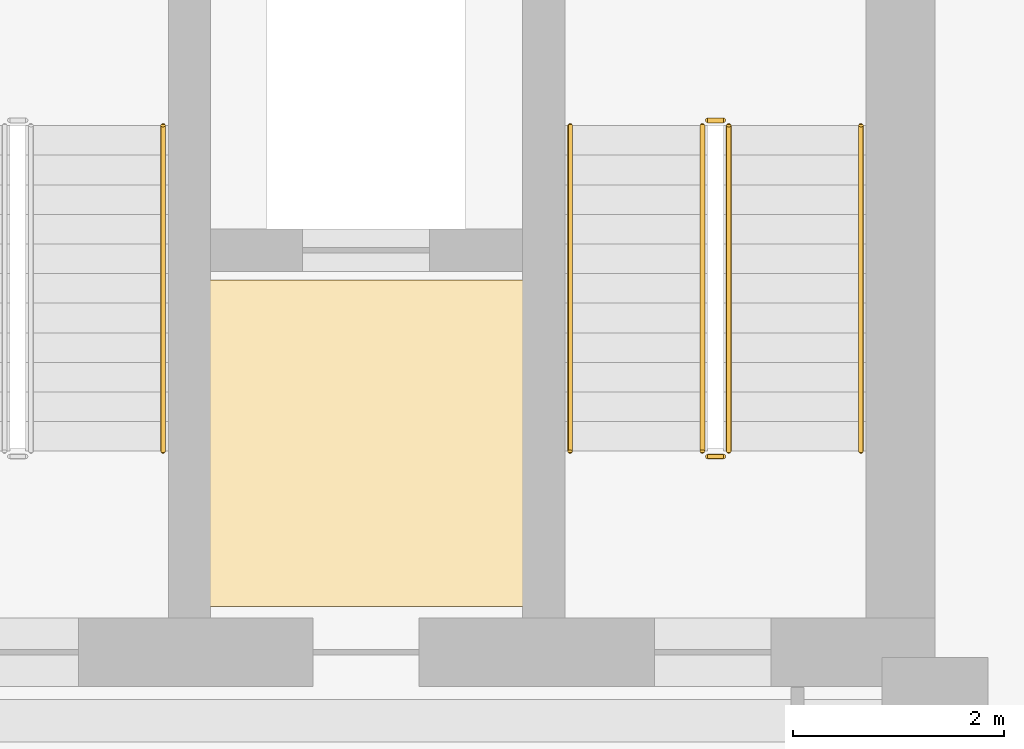
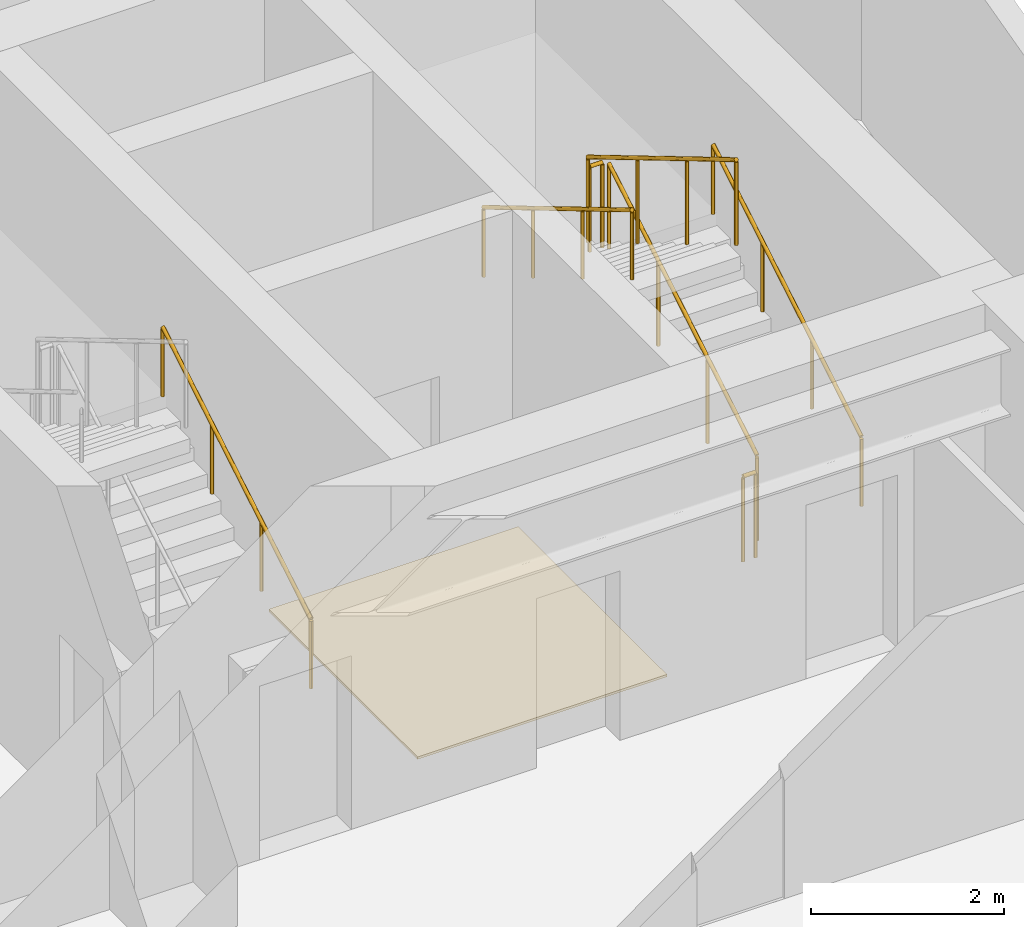
# One storey, part 26 of 26: 7 railings, 1 covering.
"""IFC4 building model written with IfcOpenShell, lengths in metres."""

from ifc_helpers import new_model, si_unit, direction, frame, origin, origin_2d, place, context, subcontext, project, spatial, polyline, circle, outline, extrude, material, layer, layer_set, type_object, element, save


model = new_model("IFC4")

# Units and contexts
model_context = context("Model", 3, precision=1e-05, world=origin(), true_north=direction((0.0, 1.0)))
body_context = subcontext(model_context, "Body", "Model", "MODEL_VIEW")
ifc_project = project(units=[si_unit("LENGTHUNIT", "METRE"), si_unit("AREAUNIT", "SQUARE_METRE"), si_unit("VOLUMEUNIT", "CUBIC_METRE"), si_unit("PLANEANGLEUNIT", "RADIAN"), si_unit("MASSUNIT", "GRAM", prefix="KILO")], contexts=[model_context])

# Site, building, storey
site_placement = place(None, origin())
site = spatial("IfcSite", under=ifc_project, at=site_placement, CompositionType="ELEMENT")
building_placement = place(site_placement, origin())
building = spatial("IfcBuilding", under=site, at=building_placement, Name="Kravanh Interchange Tower", CompositionType="ELEMENT")
storey_placement = place(building_placement, frame((0.0, 0.0, 116.0)))
storey = spatial("IfcBuildingStorey", under=building, at=storey_placement, Name="L27", CompositionType="ELEMENT", Elevation=116.0)

# Covering
ifc_material_1 = material(Name="Cementitious Terrazzo Tile")
ifc_layer_1 = layer(ifc_material_1, 0.030029296875)
ifc_layer_set_1 = layer_set([ifc_layer_1], Name="Honed Terrazzo Lobby Flooring 30mm")
covering_type = type_object("IfcCoveringType", Name="Honed Terrazzo Lobby Flooring 30mm", PredefinedType="FLOORING", material=ifc_layer_set_1)
covering_placement = place(storey_placement, origin())
element("IfcCovering", 1, at=covering_placement, inside=storey, type_object=covering_type, Name="L27 Service Lift Lobby Floor Finish", PredefinedType="FLOORING", context=body_context, shape_type="SweptSolid", body=[
    extrude(outline(polyline([(59.6298828125, 41.52001953125), (62.6201171875, 41.52001953125), (62.6201171875, 38.429931640625), (59.6298828125, 38.429931640625), (59.6298828125, 41.52001953125)])), origin(), (0.0, 0.0, 1.0), 0.030029296875),
])

# Railings
ifc_material_2 = material(Name="Structural Steel S355", Category="steel")
ifc_layer_2 = layer(ifc_material_2, 0.050048828125)
ifc_layer_set_2 = layer_set([ifc_layer_2], Name="Stair Well Guardrail Structural Steel S355 1100mm")
railing_type_1 = type_object("IfcRailingType", Name="Stair Well Guardrail Structural Steel S355 1100mm", PredefinedType="GUARDRAIL", material=ifc_layer_set_2)
railing_1_placement = place(storey_placement, frame((64.550048828125, 39.89990234375, 0.166748046875)))
element("IfcRailing", 2, at=railing_1_placement, inside=storey, type_object=railing_type_1, Name="L27 ST1 stair guard 1", PredefinedType="GUARDRAIL", context=body_context, shape_type="SweptSolid", body=[
    extrude(circle(Radius=0.02392578125, at=origin_2d()), frame((0.0, 0.0, 1.076171875), z_axis=(0.0, 0.859308565015, 0.511457515432), x_axis=(-1.0, 0.0, 0.0)), (0.0, 0.0, 1.0), 3.58447265625),
    extrude(circle(Radius=0.02099609375, at=origin_2d()), origin(), (0.0, 0.0, 1.0), 1.052001953125),
    extrude(circle(Radius=0.02099609375, at=origin_2d()), frame((0.0, 1.026611328125, 0.611083984375)), (0.0, 0.0, 1.0), 1.052001953125),
    extrude(circle(Radius=0.02099609375, at=origin_2d()), frame((0.0, 2.053466796875, 1.22216796875)), (0.0, 0.0, 1.0), 1.052001953125),
    extrude(circle(Radius=0.02099609375, at=origin_2d()), frame((0.0, 3.080078125, 1.833251953125)), (0.0, 0.0, 1.0), 1.052001953125),
])
railing_2_placement = place(storey_placement, frame((64.5, 43.030029296875, 2.0)))
element("IfcRailing", 3, at=railing_2_placement, inside=storey, type_object=railing_type_1, Name="L27 ST1 stair guard 2", PredefinedType="GUARDRAIL", context=body_context, shape_type="SweptSolid", body=[
    extrude(circle(Radius=0.02392578125, at=origin_2d()), frame((0.0, 0.0, 1.076171875), z_axis=(-1.0, 0.0, 0.0), x_axis=(0.0, -1.0, 0.0)), (0.0, 0.0, 1.0), 0.14990234375),
    extrude(circle(Radius=0.02099609375, at=origin_2d()), origin(), (0.0, 0.0, 1.0), 1.052001953125),
    extrude(circle(Radius=0.02099609375, at=origin_2d()), frame((-0.14990234375, 0.0, 0.0)), (0.0, 0.0, 1.0), 1.052001953125),
])
railing_3_placement = place(storey_placement, frame((64.300048828125, 42.97998046875, 2.166748046875)))
element("IfcRailing", 4, at=railing_3_placement, inside=storey, type_object=railing_type_1, Name="L27 ST1 stair guard 3", PredefinedType="GUARDRAIL", context=body_context, shape_type="SweptSolid", body=[
    extrude(circle(Radius=0.02392578125, at=origin_2d()), frame((0.0, 0.0, 1.076171875), z_axis=(0.0, -0.859308565015, 0.511457515432), x_axis=(1.0, 0.0, 0.0)), (0.0, 0.0, 1.0), 3.58447265625),
    extrude(circle(Radius=0.02099609375, at=origin_2d()), origin(), (0.0, 0.0, 1.0), 1.052001953125),
    extrude(circle(Radius=0.02099609375, at=origin_2d()), frame((0.0, -1.026611328125, 0.611083984375)), (0.0, 0.0, 1.0), 1.052001953125),
    extrude(circle(Radius=0.02099609375, at=origin_2d()), frame((0.0, -2.053466796875, 1.22216796875)), (0.0, 0.0, 1.0), 1.052001953125),
    extrude(circle(Radius=0.02099609375, at=origin_2d()), frame((0.0, -3.080078125, 1.833251953125)), (0.0, 0.0, 1.0), 1.052001953125),
])
railing_4_placement = place(storey_placement, frame((64.5, 39.85009765625, 0.0)))
element("IfcRailing", 5, at=railing_4_placement, inside=storey, type_object=railing_type_1, Name="L27 ST1 stair guard 4", PredefinedType="GUARDRAIL", context=body_context, shape_type="SweptSolid", body=[
    extrude(circle(Radius=0.02392578125, at=origin_2d()), frame((0.0, 0.0, 1.076171875), z_axis=(-1.0, 0.0, 0.0), x_axis=(0.0, -1.0, 0.0)), (0.0, 0.0, 1.0), 0.14990234375),
    extrude(circle(Radius=0.02099609375, at=origin_2d()), origin(), (0.0, 0.0, 1.0), 1.052001953125),
    extrude(circle(Radius=0.02099609375, at=origin_2d()), frame((-0.14990234375, 0.0, 0.0)), (0.0, 0.0, 1.0), 1.052001953125),
])
ifc_material_3 = material(Name="Stainless Steel 304", Category="steel")
ifc_layer_3 = layer(ifc_material_3, 0.044921875)
ifc_layer_set_3 = layer_set([ifc_layer_3], Name="Tubular Stair Handrail Stainless 304 900mm")
railing_type_2 = type_object("IfcRailingType", Name="Tubular Stair Handrail Stainless 304 900mm", PredefinedType="HANDRAIL", material=ifc_layer_set_3)
railing_5_placement = place(storey_placement, frame((65.800048828125, 39.89990234375, 0.166748046875)))
element("IfcRailing", 6, at=railing_5_placement, inside=storey, type_object=railing_type_2, Name="L27 ST1 stair handrail 1", PredefinedType="HANDRAIL", context=body_context, shape_type="SweptSolid", body=[
    extrude(circle(Radius=0.02392578125, at=origin_2d()), frame((0.0, 0.0, 0.8759765625), z_axis=(0.0, 0.859308565015, 0.511457515432), x_axis=(-1.0, 0.0, 0.0)), (0.0, 0.0, 1.0), 3.58447265625),
    extrude(circle(Radius=0.02099609375, at=origin_2d()), origin(), (0.0, 0.0, 1.0), 0.851806640625),
    extrude(circle(Radius=0.02099609375, at=origin_2d()), frame((0.0, 1.026611328125, 0.611083984375)), (0.0, 0.0, 1.0), 0.851806640625),
    extrude(circle(Radius=0.02099609375, at=origin_2d()), frame((0.0, 2.053466796875, 1.22216796875)), (0.0, 0.0, 1.0), 0.851806640625),
    extrude(circle(Radius=0.02099609375, at=origin_2d()), frame((0.0, 3.080078125, 1.833251953125)), (0.0, 0.0, 1.0), 0.851806640625),
])
railing_6_placement = place(storey_placement, frame((63.050048828125, 42.97998046875, 2.166748046875)))
element("IfcRailing", 7, at=railing_6_placement, inside=storey, type_object=railing_type_2, Name="L27 ST1 stair handrail 2", PredefinedType="HANDRAIL", context=body_context, shape_type="SweptSolid", body=[
    extrude(circle(Radius=0.02392578125, at=origin_2d()), frame((0.0, 0.0, 0.8759765625), z_axis=(0.0, -0.859308565015, 0.511457515432), x_axis=(1.0, 0.0, 0.0)), (0.0, 0.0, 1.0), 3.58447265625),
    extrude(circle(Radius=0.02099609375, at=origin_2d()), origin(), (0.0, 0.0, 1.0), 0.851806640625),
    extrude(circle(Radius=0.02099609375, at=origin_2d()), frame((0.0, -1.026611328125, 0.611083984375)), (0.0, 0.0, 1.0), 0.851806640625),
    extrude(circle(Radius=0.02099609375, at=origin_2d()), frame((0.0, -2.053466796875, 1.22216796875)), (0.0, 0.0, 1.0), 0.851806640625),
    extrude(circle(Radius=0.02099609375, at=origin_2d()), frame((0.0, -3.080078125, 1.833251953125)), (0.0, 0.0, 1.0), 0.851806640625),
])
railing_7_placement = place(storey_placement, frame((59.199951171875, 39.89990234375, 0.166748046875)))
element("IfcRailing", 8, at=railing_7_placement, inside=storey, type_object=railing_type_2, Name="L27 ST2 stair handrail 1", PredefinedType="HANDRAIL", context=body_context, shape_type="SweptSolid", body=[
    extrude(circle(Radius=0.02392578125, at=origin_2d()), frame((0.0, 0.0, 0.8759765625), z_axis=(0.0, 0.859308565015, 0.511457515432), x_axis=(-1.0, 0.0, 0.0)), (0.0, 0.0, 1.0), 3.58447265625),
    extrude(circle(Radius=0.02099609375, at=origin_2d()), origin(), (0.0, 0.0, 1.0), 0.851806640625),
    extrude(circle(Radius=0.02099609375, at=origin_2d()), frame((0.0, 1.026611328125, 0.611083984375)), (0.0, 0.0, 1.0), 0.851806640625),
    extrude(circle(Radius=0.02099609375, at=origin_2d()), frame((0.0, 2.053466796875, 1.22216796875)), (0.0, 0.0, 1.0), 0.851806640625),
    extrude(circle(Radius=0.02099609375, at=origin_2d()), frame((0.0, 3.080078125, 1.833251953125)), (0.0, 0.0, 1.0), 0.851806640625),
])

save(model, "model.ifc")
